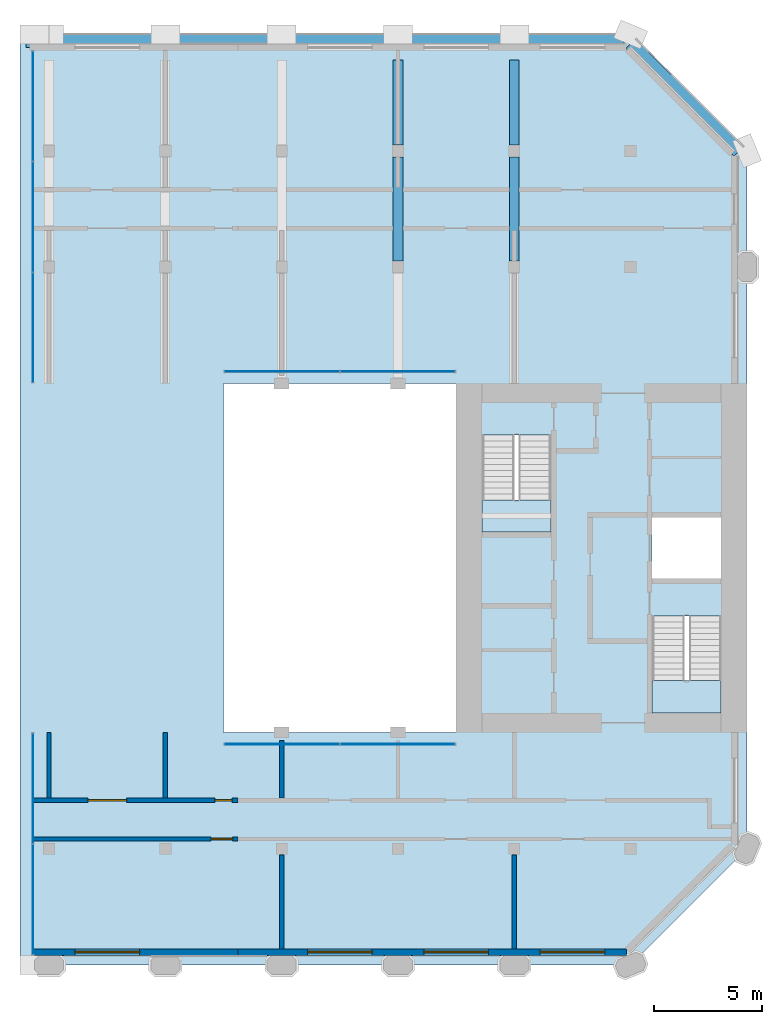
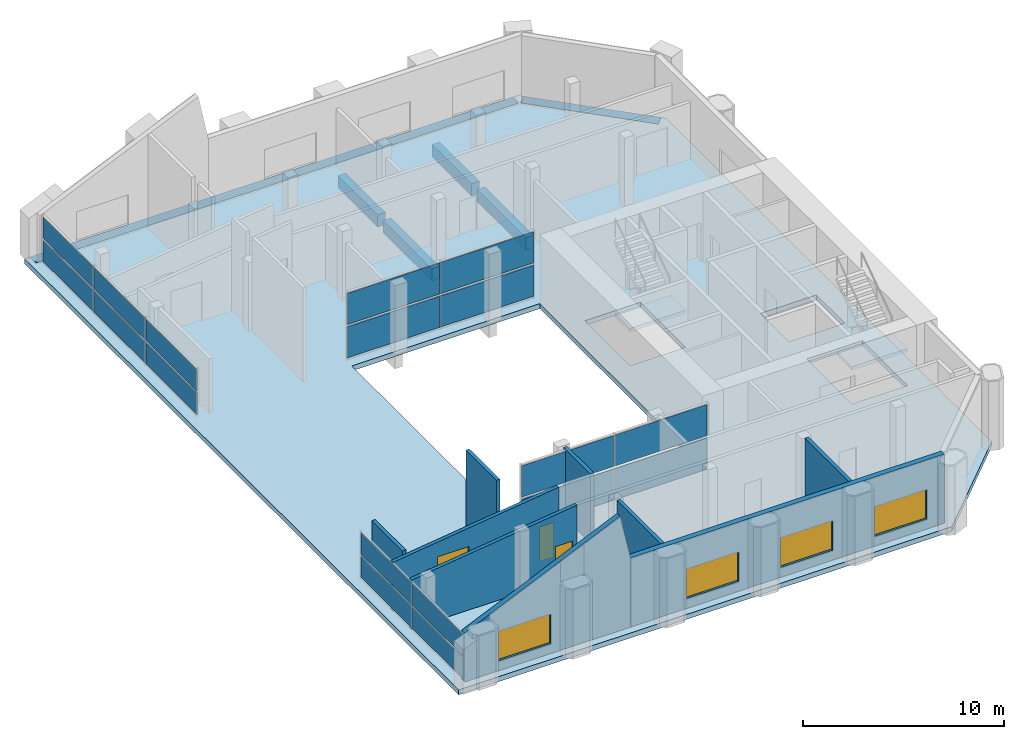
# One storey, part 4 of 9: 18 plates, 9 walls, 6 beams, 4 windows, 3 doors, 3 slabs, 7 openings, 6 elements without a shape of their own.
"""IFC4 building model written with IfcOpenShell, lengths in metres."""

import ifcopenshell
import ifcopenshell.guid

model = None  # the IFC model being written
_history = None  # IfcOwnerHistory: only IFC2X3 demands one
_inside = {}  # id of a spatial element -> (the spatial element, [elements in it])
_under = {}  # id of a project, library or spatial element -> (it, [spatial elements below it])
_declared = {}  # id of a project -> (the project, [libraries it declares])
_typed = {}  # id of a type object -> (the type object, [elements of that type])
_made_of = {}  # id of a material, layer set ... -> (it, [elements and type objects made of it])


def new_model(schema):
    """Start an empty IFC model of exactly this schema.

    Asked for "IFC4X3", IfcOpenShell would pick the latest addendum, in which some entities
    have other attributes; the version numbers below select the first issue.
    IFC2X3 requires an IfcOwnerHistory on every rooted entity: one is made here for all.
    """
    global model, _history
    if schema == "IFC4X3":
        model = ifcopenshell.file(schema_version=(4, 3, 0, 0))
    else:
        model = ifcopenshell.file(schema=schema)
    _inside.clear()
    _under.clear()
    _declared.clear()
    _typed.clear()
    _made_of.clear()
    _history = None
    if model.schema == "IFC2X3":
        org = make("IfcOrganization", Name="unknown")
        user = make(
            "IfcPersonAndOrganization",
            ThePerson=make("IfcPerson", FamilyName="unknown"),
            TheOrganization=org,
        )
        app = make(
            "IfcApplication",
            ApplicationDeveloper=org,
            Version="unknown",
            ApplicationFullName="unknown",
            ApplicationIdentifier="unknown",
        )
        _history = make(
            "IfcOwnerHistory",
            OwningUser=user,
            OwningApplication=app,
            ChangeAction="ADDED",
            CreationDate=0,
        )
    return model


def make(cls, **values):
    """One entity of the class cls with the attributes given. An attribute that is None is left unset."""
    return model.create_entity(
        cls, **{name: value for name, value in values.items() if value is not None}
    )


def rooted(cls, **values):
    """An entity with a GlobalId (a new one), such as an element, a storey or a relation."""
    return make(cls, GlobalId=ifcopenshell.guid.new(), OwnerHistory=_history, **values)


def si_unit(unit_type, name, prefix=None):
    """IfcSIUnit, for example si_unit("LENGTHUNIT", "METRE", prefix="MILLI")."""
    return make("IfcSIUnit", UnitType=unit_type, Prefix=prefix, Name=name)


def assignment(units):
    """IfcUnitAssignment: the units of a project."""
    return None if units is None else make("IfcUnitAssignment", Units=units)


def point(xyz):
    """IfcCartesianPoint."""
    return None if xyz is None else make("IfcCartesianPoint", Coordinates=xyz)


def direction(xyz):
    """IfcDirection."""
    return None if xyz is None else make("IfcDirection", DirectionRatios=xyz)


def frame(location, z_axis=None, x_axis=None):
    """IfcAxis2Placement3D, a coordinate frame: its origin and axes. An axis left out is left unset."""
    return make(
        "IfcAxis2Placement3D",
        Location=point(location),
        Axis=direction(z_axis),
        RefDirection=direction(x_axis),
    )


def frame_2d(location, x_axis=None):
    """IfcAxis2Placement2D, a coordinate frame in the plane: its origin and x axis."""
    return make(
        "IfcAxis2Placement2D", Location=point(location), RefDirection=direction(x_axis)
    )


def origin():
    """The frame at (0, 0, 0) with its axes left unset."""
    return frame((0.0, 0.0, 0.0))


def origin_2d():
    """The frame at (0, 0) in the plane with its x axis left unset."""
    return frame_2d((0.0, 0.0))


def place(relative_to, where):
    """IfcLocalPlacement: puts the frame where relative to a parent placement (None: the world)."""
    return make(
        "IfcLocalPlacement", PlacementRelTo=relative_to, RelativePlacement=where
    )


def context(
    kind, dimensions, precision=None, world=None, true_north=None, identifier=None
):
    """IfcGeometricRepresentationContext, for example the 3D "Model" context."""
    return make(
        "IfcGeometricRepresentationContext",
        ContextIdentifier=identifier,
        ContextType=kind,
        CoordinateSpaceDimension=dimensions,
        Precision=precision,
        WorldCoordinateSystem=world,
        TrueNorth=true_north,
    )


def subcontext(parent, identifier, kind, view, scale=None):
    """IfcGeometricRepresentationSubContext, for example "Body" below "Model"."""
    return make(
        "IfcGeometricRepresentationSubContext",
        ContextIdentifier=identifier,
        ContextType=kind,
        ParentContext=parent,
        TargetScale=scale,
        TargetView=view,
    )


def project(units=None, contexts=None):
    """IfcProject with its units and contexts."""
    return rooted(
        "IfcProject",
        Name="project",
        RepresentationContexts=contexts,
        UnitsInContext=assignment(units),
    )


def spatial(cls, under=None, at=None, **own):
    """A site, building, storey or space (cls), placed at a placement, below another one or the project."""
    s = rooted(cls, ObjectPlacement=at, **own)
    if under is not None:
        _under.setdefault(under.id(), (under, []))[1].append(s)
    return s


def polyline(points):
    """IfcPolyline through the points."""
    return make("IfcPolyline", Points=[point(p) for p in points])


def profile(cls, at=None, kind="AREA", **sizes):
    """A parametric profile (cls). Its sizes go by their IFC names, for example OverallWidth=200.0."""
    return make(cls, ProfileType=kind, Position=at, **sizes)


def rectangle(**sizes):
    """IfcRectangleProfileDef."""
    return profile("IfcRectangleProfileDef", **sizes)


def outline(outer, holes=None, kind="AREA"):
    """IfcArbitraryClosedProfileDef: a profile drawn as a closed curve; with holes, ...WithVoids."""
    if holes is None:
        return make("IfcArbitraryClosedProfileDef", ProfileType=kind, OuterCurve=outer)
    return make(
        "IfcArbitraryProfileDefWithVoids",
        ProfileType=kind,
        OuterCurve=outer,
        InnerCurves=holes,
    )


def extrude(swept, where, along, depth):
    """IfcExtrudedAreaSolid: the profile swept, set in the frame where, extruded along a direction by depth."""
    return make(
        "IfcExtrudedAreaSolid",
        SweptArea=swept,
        Position=where,
        ExtrudedDirection=direction(along),
        Depth=depth,
    )


def shape(context_of_items, identifier, shape_type, items):
    """IfcShapeRepresentation: the items that make up one representation, for example the "Body"."""
    return make(
        "IfcShapeRepresentation",
        ContextOfItems=context_of_items,
        RepresentationIdentifier=identifier,
        RepresentationType=shape_type,
        Items=items,
    )


def material(Name=None, Category=None):
    """IfcMaterial."""
    return make("IfcMaterial", Name=Name, Category=Category)


def layer(
    of_material, thickness, ventilated=None, Name=None, Category=None, Priority=None
):
    """IfcMaterialLayer: one layer of a wall or slab, of a material (None: an air gap)."""
    return make(
        "IfcMaterialLayer",
        Material=of_material,
        LayerThickness=thickness,
        IsVentilated=ventilated,
        Name=Name,
        Category=Category,
        Priority=Priority,
    )


def layer_set(layers, Name=None):
    """IfcMaterialLayerSet."""
    return make("IfcMaterialLayerSet", MaterialLayers=layers, LayerSetName=Name)


def material_profile(
    of_material, cross_section, Name=None, Category=None, Priority=None
):
    """IfcMaterialProfile: a cross section and its material."""
    return make(
        "IfcMaterialProfile",
        Name=Name,
        Material=of_material,
        Profile=cross_section,
        Priority=Priority,
        Category=Category,
    )


def profile_set(profiles, Name=None, composite=None):
    """IfcMaterialProfileSet."""
    return make(
        "IfcMaterialProfileSet",
        Name=Name,
        MaterialProfiles=profiles,
        CompositeProfile=composite,
    )


def made_of(thing, what):
    """Note that an element or type object is made of a material, layer set ...; save() writes the relation."""
    if what is not None:
        _made_of.setdefault(what.id(), (what, []))[1].append(thing)
    return thing


def type_object(cls, material=None, **own):
    """A type object (cls), such as IfcWallType, which elements share."""
    return made_of(rooted(cls, **own), material)


def element(
    cls,
    number,
    at=None,
    inside=None,
    cuts=None,
    type_object=None,
    material=None,
    context=None,
    identifier="Body",
    shape_type=None,
    held_by="IfcProductDefinitionShape",
    body=None,
    shapes=None,
    **own,
):
    """One element of the class cls, such as IfcWall. Its Tag is "e" and its number.

    at: its placement. inside: the storey or other place that contains it. cuts: it is an
    opening in that element (IfcRelVoidsElement). A single representation is given by context,
    identifier, shape_type and body (its items); several are given by shapes. held_by: the class
    of the entity that holds the representations. save() writes the other relations.
    """
    e = rooted(cls, Tag="e%d" % number, ObjectPlacement=at, **own)
    if body is not None:
        shapes = [shape(context, identifier, shape_type, body)]
    if shapes is not None:
        e.Representation = make(held_by, Representations=shapes)
    if inside is not None:
        _inside.setdefault(inside.id(), (inside, []))[1].append(e)
    if cuts is not None:
        rooted(
            "IfcRelVoidsElement", RelatingBuildingElement=cuts, RelatedOpeningElement=e
        )
    if type_object is not None:
        _typed.setdefault(type_object.id(), (type_object, []))[1].append(e)
    return made_of(e, material)


def fill(opening, filler):
    """IfcRelFillsElement: the door or window that sits in an opening."""
    return rooted(
        "IfcRelFillsElement",
        RelatingOpeningElement=opening,
        RelatedBuildingElement=filler,
    )


def aggregate(whole, parts):
    """IfcRelAggregates: a whole, such as a stair, and the parts it consists of."""
    return rooted("IfcRelAggregates", RelatingObject=whole, RelatedObjects=parts)


def save(model, path):
    """Write the relations noted so far, then the file.

    IfcRelAggregates (storeys below a building ...), IfcRelContainedInSpatialStructure (elements
    in a storey), IfcRelDefinesByType, IfcRelAssociatesMaterial and IfcRelDeclares: one each for
    every whole, place, type object, material and project.
    """
    for whole, parts in _under.values():
        aggregate(whole, parts)
    for where, things in _inside.values():
        rooted(
            "IfcRelContainedInSpatialStructure",
            RelatedElements=things,
            RelatingStructure=where,
        )
    for kind, things in _typed.values():
        rooted("IfcRelDefinesByType", RelatedObjects=things, RelatingType=kind)
    for what, things in _made_of.values():
        rooted("IfcRelAssociatesMaterial", RelatedObjects=things, RelatingMaterial=what)
    for by, libraries in _declared.values():
        rooted("IfcRelDeclares", RelatingContext=by, RelatedDefinitions=libraries)
    model.write(path)


model = new_model("IFC4")

# Units and contexts
model_context = context("Model", 3, precision=1e-05, world=origin(), true_north=direction((0.0, 1.0)))
body_context = subcontext(model_context, "Body", "Model", "MODEL_VIEW")
ifc_project = project(units=[si_unit("LENGTHUNIT", "METRE"), si_unit("AREAUNIT", "SQUARE_METRE"), si_unit("VOLUMEUNIT", "CUBIC_METRE"), si_unit("PLANEANGLEUNIT", "RADIAN"), si_unit("MASSUNIT", "GRAM", prefix="KILO")], contexts=[model_context])

# Site, building, storey
site_placement = place(None, origin())
site = spatial("IfcSite", under=ifc_project, at=site_placement, CompositionType="ELEMENT")
building_placement = place(site_placement, origin())
building = spatial("IfcBuilding", under=site, at=building_placement, Name="Tabaq Tower and Sports Hall", CompositionType="ELEMENT")
storey_placement = place(building_placement, frame((0.0, 0.0, 326.199951171875)))
storey = spatial("IfcBuildingStorey", under=building, at=storey_placement, Name="L81", CompositionType="ELEMENT", Elevation=326.199951171875)

# Beams
ifc_material_1 = material(Name="Concrete C40/50", Category="concrete")
ifc_material_profile_1 = material_profile(ifc_material_1, rectangle(XDim=0.449951171875, YDim=0.75, at=origin_2d()), Name="CB 450x750")
ifc_profile_set_1 = profile_set([ifc_material_profile_1], Name="Concrete C40/50")
beam_type_1 = type_object("IfcBeamType", Name="PT CANTILEVER BEAM CB 450x750 C40/50", PredefinedType="BEAM", material=ifc_profile_set_1)
beam_1_placement = place(storey_placement, frame((27.0, 47.425048828125, -0.675048828125), z_axis=(0.0, -1.0, 0.0), x_axis=(1.0, 0.0, 0.0)))
element("IfcBeam", 1, at=beam_1_placement, inside=storey, type_object=beam_type_1, Name="Cantilever Beam L81 N5 span 1", PredefinedType="BEAM", context=body_context, shape_type="SweptSolid", body=[
    extrude(rectangle(XDim=0.449951171875, YDim=0.75, at=origin_2d()), origin(), (0.0, 0.0, 1.0), 3.949951171875),
])
beam_2_placement = place(storey_placement, frame((27.0, 42.925048828125, -0.675048828125), z_axis=(0.0, -1.0, 0.0), x_axis=(1.0, 0.0, 0.0)))
element("IfcBeam", 2, at=beam_2_placement, inside=storey, type_object=beam_type_1, Name="Cantilever Beam L81 N5 span 2", PredefinedType="BEAM", context=body_context, shape_type="SweptSolid", body=[
    extrude(rectangle(XDim=0.449951171875, YDim=0.75, at=origin_2d()), origin(), (0.0, 0.0, 1.0), 4.85009765625),
])
beam_3_placement = place(storey_placement, frame((32.39990234375, 47.425048828125, -0.675048828125), z_axis=(0.0, -1.0, 0.0), x_axis=(1.0, 0.0, 0.0)))
element("IfcBeam", 3, at=beam_3_placement, inside=storey, type_object=beam_type_1, Name="Cantilever Beam L81 N6 span 1", PredefinedType="BEAM", context=body_context, shape_type="SweptSolid", body=[
    extrude(rectangle(XDim=0.449951171875, YDim=0.75, at=origin_2d()), origin(), (0.0, 0.0, 1.0), 3.949951171875),
])
beam_4_placement = place(storey_placement, frame((32.39990234375, 42.925048828125, -0.675048828125), z_axis=(0.0, -1.0, 0.0), x_axis=(1.0, 0.0, 0.0)))
element("IfcBeam", 4, at=beam_4_placement, inside=storey, type_object=beam_type_1, Name="Cantilever Beam L81 N6 span 2", PredefinedType="BEAM", context=body_context, shape_type="SweptSolid", body=[
    extrude(rectangle(XDim=0.449951171875, YDim=0.75, at=origin_2d()), origin(), (0.0, 0.0, 1.0), 4.85009765625),
])
ifc_material_2 = material(Name="Concrete C40/50", Category="concrete")
ifc_material_profile_2 = material_profile(ifc_material_2, rectangle(XDim=0.60009765625, YDim=0.300048828125, at=origin_2d()), Name="EB 600x300")
ifc_profile_set_2 = profile_set([ifc_material_profile_2], Name="Concrete C40/50")
beam_type_2 = type_object("IfcBeamType", Name="PT EDGE BEAM EB 600x300 C40/50", PredefinedType="SPANDREL", material=ifc_profile_set_2)
beam_5_placement = place(storey_placement, frame((37.50146484375, 48.300048828125, -0.14990234375), z_axis=(-1.0, 0.0, 0.0), x_axis=(0.0, -1.0, 0.0)))
element("IfcBeam", 5, at=beam_5_placement, inside=storey, type_object=beam_type_2, Name="Edge Beam L81 1", PredefinedType="SPANDREL", context=body_context, shape_type="SweptSolid", body=[
    extrude(rectangle(XDim=0.60009765625, YDim=0.300048828125, at=origin_2d()), origin(), (0.0, 0.0, 1.0), 27.761474609375),
])
beam_6_placement = place(storey_placement, frame((42.81103515625, 43.16455078125, -0.14990234375), z_axis=(-0.707089559252, 0.707124002701, 0.0), x_axis=(-0.707124002701, -0.707089559252, 0.0)))
element("IfcBeam", 6, at=beam_6_placement, inside=storey, type_object=beam_type_2, Name="Edge Beam L81 2", PredefinedType="SPANDREL", context=body_context, shape_type="SweptSolid", body=[
    extrude(rectangle(XDim=0.60009765625, YDim=0.300048828125, at=origin_2d()), origin(), (0.0, 0.0, 1.0), 7.088134765625),
])

# Curtain wall, plates
ifc_material_3 = material(Name="Aluminium alloy 6063-T6 framed glazing", Category="aluminium")
curtain_wall_type_1 = type_object("IfcCurtainWallType", Name="CW1 curtain wall", PredefinedType="USERDEFINED", material=ifc_material_3)
curtain_wall_1_placement = place(storey_placement, origin())
curtain_wall_1 = element("IfcCurtainWall", 7, at=curtain_wall_1_placement, inside=storey, type_object=curtain_wall_type_1, Name="Atrium glazing L81 S", ObjectType="ATRIUM ENCLOSURE", PredefinedType="USERDEFINED")
ifc_material_4 = material(Name="Clear low-emissivity glass 28 mm", Category="glass")
ifc_layer_1 = layer(ifc_material_4, 0.028076171875)
ifc_layer_set_1 = layer_set([ifc_layer_1], Name="CW1 glass panel 28")
plate_type_1 = type_object("IfcPlateType", Name="CW1 glass panel 28", PredefinedType="CURTAIN_PANEL", material=ifc_layer_set_1)
plate_1_placement = place(storey_placement, frame((21.614990234375, 15.64990234375, 0.14013671875), z_axis=(0.0, 0.0, 1.0), x_axis=(1.0, 0.0, 0.0)))
plate_1 = element("IfcPlate", 8, at=plate_1_placement, type_object=plate_type_1, Name="CW1 panel 1.1", PredefinedType="CURTAIN_PANEL", context=body_context, shape_type="SweptSolid", body=[
    extrude(rectangle(XDim=5.31005859375, YDim=0.028076171875, at=origin_2d()), origin(), (0.0, 0.0, 1.0), 1.889892578125),
])
plate_2_placement = place(storey_placement, frame((21.614990234375, 15.64990234375, 2.169921875), z_axis=(0.0, 0.0, 1.0), x_axis=(1.0, 0.0, 0.0)))
plate_2 = element("IfcPlate", 9, at=plate_2_placement, type_object=plate_type_1, Name="CW1 panel 1.2", PredefinedType="CURTAIN_PANEL", context=body_context, shape_type="SweptSolid", body=[
    extrude(rectangle(XDim=5.31005859375, YDim=0.028076171875, at=origin_2d()), origin(), (0.0, 0.0, 1.0), 1.889892578125),
])
plate_3_placement = place(storey_placement, frame((26.985107421875, 15.64990234375, 0.14013671875), z_axis=(0.0, 0.0, 1.0), x_axis=(1.0, 0.0, 0.0)))
plate_3 = element("IfcPlate", 10, at=plate_3_placement, type_object=plate_type_1, Name="CW1 panel 2.1", PredefinedType="CURTAIN_PANEL", context=body_context, shape_type="SweptSolid", body=[
    extrude(rectangle(XDim=5.31005859375, YDim=0.028076171875, at=origin_2d()), origin(), (0.0, 0.0, 1.0), 1.889892578125),
])
plate_4_placement = place(storey_placement, frame((26.985107421875, 15.64990234375, 2.169921875), z_axis=(0.0, 0.0, 1.0), x_axis=(1.0, 0.0, 0.0)))
plate_4 = element("IfcPlate", 11, at=plate_4_placement, type_object=plate_type_1, Name="CW1 panel 2.2", PredefinedType="CURTAIN_PANEL", context=body_context, shape_type="SweptSolid", body=[
    extrude(rectangle(XDim=5.31005859375, YDim=0.028076171875, at=origin_2d()), origin(), (0.0, 0.0, 1.0), 1.889892578125),
])
aggregate(curtain_wall_1, [plate_1, plate_2, plate_3, plate_4])

curtain_wall_2_placement = place(storey_placement, origin())
curtain_wall_2 = element("IfcCurtainWall", 12, at=curtain_wall_2_placement, inside=storey, type_object=curtain_wall_type_1, Name="Atrium glazing L81 N", ObjectType="ATRIUM ENCLOSURE", PredefinedType="USERDEFINED")
plate_5_placement = place(storey_placement, frame((21.614990234375, 32.949951171875, 0.14013671875), z_axis=(0.0, 0.0, 1.0), x_axis=(1.0, 0.0, 0.0)))
plate_5 = element("IfcPlate", 13, at=plate_5_placement, type_object=plate_type_1, Name="CW1 panel 1.1", PredefinedType="CURTAIN_PANEL", context=body_context, shape_type="SweptSolid", body=[
    extrude(rectangle(XDim=5.31005859375, YDim=0.028076171875, at=origin_2d()), origin(), (0.0, 0.0, 1.0), 1.889892578125),
])
plate_6_placement = place(storey_placement, frame((21.614990234375, 32.949951171875, 2.169921875), z_axis=(0.0, 0.0, 1.0), x_axis=(1.0, 0.0, 0.0)))
plate_6 = element("IfcPlate", 14, at=plate_6_placement, type_object=plate_type_1, Name="CW1 panel 1.2", PredefinedType="CURTAIN_PANEL", context=body_context, shape_type="SweptSolid", body=[
    extrude(rectangle(XDim=5.31005859375, YDim=0.028076171875, at=origin_2d()), origin(), (0.0, 0.0, 1.0), 1.889892578125),
])
plate_7_placement = place(storey_placement, frame((26.985107421875, 32.949951171875, 0.14013671875), z_axis=(0.0, 0.0, 1.0), x_axis=(1.0, 0.0, 0.0)))
plate_7 = element("IfcPlate", 15, at=plate_7_placement, type_object=plate_type_1, Name="CW1 panel 2.1", PredefinedType="CURTAIN_PANEL", context=body_context, shape_type="SweptSolid", body=[
    extrude(rectangle(XDim=5.31005859375, YDim=0.028076171875, at=origin_2d()), origin(), (0.0, 0.0, 1.0), 1.889892578125),
])
plate_8_placement = place(storey_placement, frame((26.985107421875, 32.949951171875, 2.169921875), z_axis=(0.0, 0.0, 1.0), x_axis=(1.0, 0.0, 0.0)))
plate_8 = element("IfcPlate", 16, at=plate_8_placement, type_object=plate_type_1, Name="CW1 panel 2.2", PredefinedType="CURTAIN_PANEL", context=body_context, shape_type="SweptSolid", body=[
    extrude(rectangle(XDim=5.31005859375, YDim=0.028076171875, at=origin_2d()), origin(), (0.0, 0.0, 1.0), 1.889892578125),
])
aggregate(curtain_wall_2, [plate_5, plate_6, plate_7, plate_8])

ifc_material_5 = material(Name="Aluminium alloy 6063-T6 framed glazing", Category="aluminium")
curtain_wall_type_2 = type_object("IfcCurtainWallType", Name="CW5 curtain wall", PredefinedType="USERDEFINED", material=ifc_material_5)
curtain_wall_3_placement = place(storey_placement, origin())
curtain_wall_3 = element("IfcCurtainWall", 17, at=curtain_wall_3_placement, inside=storey, type_object=curtain_wall_type_2, Name="Crown riser glazing L81", ObjectType="CROWN GLAZING", PredefinedType="USERDEFINED")
ifc_material_6 = material(Name="Clear low-emissivity glass 28 mm", Category="glass")
ifc_layer_2 = layer(ifc_material_6, 0.028076171875)
ifc_layer_set_2 = layer_set([ifc_layer_2], Name="CW5 glass panel 28")
plate_type_2 = type_object("IfcPlateType", Name="CW5 glass panel 28", PredefinedType="CURTAIN_PANEL", material=ifc_layer_set_2)
plate_9_placement = place(storey_placement, frame((10.050048828125, 45.260009765625, 0.1201171875), z_axis=(0.0, 0.0, 1.0), x_axis=(0.0, -1.0, 0.0)))
plate_9 = element("IfcPlate", 18, at=plate_9_placement, type_object=plate_type_2, Name="CW5 panel 1.1", PredefinedType="CURTAIN_PANEL", context=body_context, shape_type="SweptSolid", body=[
    extrude(rectangle(XDim=5.06005859375, YDim=0.028076171875, at=origin_2d()), origin(), (0.0, 0.0, 1.0), 1.30322265625),
])
plate_10_placement = place(storey_placement, frame((10.050048828125, 45.260009765625, 1.54345703125), z_axis=(0.0, 0.0, 1.0), x_axis=(0.0, -1.0, 0.0)))
plate_10 = element("IfcPlate", 19, at=plate_10_placement, type_object=plate_type_2, Name="CW5 panel 1.2", PredefinedType="CURTAIN_PANEL", context=body_context, shape_type="SweptSolid", body=[
    extrude(rectangle(XDim=5.06005859375, YDim=0.028076171875, at=origin_2d()), origin(), (0.0, 0.0, 1.0), 1.30322265625),
])
plate_11_placement = place(storey_placement, frame((10.050048828125, 40.125, 0.1201171875), z_axis=(0.0, 0.0, 1.0), x_axis=(0.0, -1.0, 0.0)))
plate_11 = element("IfcPlate", 20, at=plate_11_placement, type_object=plate_type_2, Name="CW5 panel 2.1", PredefinedType="CURTAIN_PANEL", context=body_context, shape_type="SweptSolid", body=[
    extrude(rectangle(XDim=5.090087890625, YDim=0.028076171875, at=origin_2d()), origin(), (0.0, 0.0, 1.0), 1.30322265625),
])
plate_12_placement = place(storey_placement, frame((10.050048828125, 40.125, 1.54345703125), z_axis=(0.0, 0.0, 1.0), x_axis=(0.0, -1.0, 0.0)))
plate_12 = element("IfcPlate", 21, at=plate_12_placement, type_object=plate_type_2, Name="CW5 panel 2.2", PredefinedType="CURTAIN_PANEL", context=body_context, shape_type="SweptSolid", body=[
    extrude(rectangle(XDim=5.090087890625, YDim=0.028076171875, at=origin_2d()), origin(), (0.0, 0.0, 1.0), 1.30322265625),
])
plate_13_placement = place(storey_placement, frame((10.050048828125, 34.989990234375, 0.1201171875), z_axis=(0.0, 0.0, 1.0), x_axis=(0.0, -1.0, 0.0)))
plate_13 = element("IfcPlate", 22, at=plate_13_placement, type_object=plate_type_2, Name="CW5 panel 3.1", PredefinedType="CURTAIN_PANEL", context=body_context, shape_type="SweptSolid", body=[
    extrude(rectangle(XDim=5.06005859375, YDim=0.028076171875, at=origin_2d()), origin(), (0.0, 0.0, 1.0), 1.30322265625),
])
plate_14_placement = place(storey_placement, frame((10.050048828125, 34.989990234375, 1.54345703125), z_axis=(0.0, 0.0, 1.0), x_axis=(0.0, -1.0, 0.0)))
plate_14 = element("IfcPlate", 23, at=plate_14_placement, type_object=plate_type_2, Name="CW5 panel 3.2", PredefinedType="CURTAIN_PANEL", context=body_context, shape_type="SweptSolid", body=[
    extrude(rectangle(XDim=5.06005859375, YDim=0.028076171875, at=origin_2d()), origin(), (0.0, 0.0, 1.0), 1.30322265625),
])
aggregate(curtain_wall_3, [plate_9, plate_10, plate_11, plate_12, plate_13, plate_14])

curtain_wall_4_placement = place(storey_placement, origin())
curtain_wall_4 = element("IfcCurtainWall", 24, at=curtain_wall_4_placement, inside=storey, type_object=curtain_wall_type_2, Name="Crown riser glazing L81", ObjectType="CROWN GLAZING", PredefinedType="USERDEFINED")
plate_15_placement = place(storey_placement, frame((10.050048828125, 13.597412109375, 0.1201171875), z_axis=(0.0, 0.0, 1.0), x_axis=(0.0, -1.0, 0.0)))
plate_15 = element("IfcPlate", 25, at=plate_15_placement, type_object=plate_type_2, Name="CW5 panel 1.1", PredefinedType="CURTAIN_PANEL", context=body_context, shape_type="SweptSolid", body=[
    extrude(rectangle(XDim=5.0849609375, YDim=0.028076171875, at=origin_2d()), origin(), (0.0, 0.0, 1.0), 1.30322265625),
])
plate_16_placement = place(storey_placement, frame((10.050048828125, 13.597412109375, 1.54345703125), z_axis=(0.0, 0.0, 1.0), x_axis=(0.0, -1.0, 0.0)))
plate_16 = element("IfcPlate", 26, at=plate_16_placement, type_object=plate_type_2, Name="CW5 panel 1.2", PredefinedType="CURTAIN_PANEL", context=body_context, shape_type="SweptSolid", body=[
    extrude(rectangle(XDim=5.0849609375, YDim=0.028076171875, at=origin_2d()), origin(), (0.0, 0.0, 1.0), 1.30322265625),
])
plate_17_placement = place(storey_placement, frame((10.050048828125, 8.452392578125, 0.1201171875), z_axis=(0.0, 0.0, 1.0), x_axis=(0.0, -1.0, 0.0)))
plate_17 = element("IfcPlate", 27, at=plate_17_placement, type_object=plate_type_2, Name="CW5 panel 2.1", PredefinedType="CURTAIN_PANEL", context=body_context, shape_type="SweptSolid", body=[
    extrude(rectangle(XDim=5.0849609375, YDim=0.028076171875, at=origin_2d()), origin(), (0.0, 0.0, 1.0), 1.30322265625),
])
plate_18_placement = place(storey_placement, frame((10.050048828125, 8.452392578125, 1.54345703125), z_axis=(0.0, 0.0, 1.0), x_axis=(0.0, -1.0, 0.0)))
plate_18 = element("IfcPlate", 28, at=plate_18_placement, type_object=plate_type_2, Name="CW5 panel 2.2", PredefinedType="CURTAIN_PANEL", context=body_context, shape_type="SweptSolid", body=[
    extrude(rectangle(XDim=5.0849609375, YDim=0.028076171875, at=origin_2d()), origin(), (0.0, 0.0, 1.0), 1.30322265625),
])
aggregate(curtain_wall_4, [plate_15, plate_16, plate_17, plate_18])

# Stair, slab
ifc_material_7 = material(Name="Concrete C40/50", Category="concrete")
stair_type = type_object("IfcStairType", Name="Exit stair", PredefinedType="HALF_TURN_STAIR", material=ifc_material_7)
stair_1_placement = place(storey_placement, origin())
stair_1 = element("IfcStair", 29, at=stair_1_placement, inside=storey, type_object=stair_type, Name="L81 Exit stair ST3", PredefinedType="HALF_TURN_STAIR")
ifc_material_8 = material(Name="Concrete C40/50", Category="concrete")
ifc_layer_3 = layer(ifc_material_8, 0.199951171875)
ifc_layer_set_3 = layer_set([ifc_layer_3], Name="Exit stair landing")
slab_type_1 = type_object("IfcSlabType", Name="Exit stair landing", PredefinedType="LANDING", material=ifc_layer_set_3)
slab_1_placement = place(storey_placement, frame((0.0, 0.0, 2.050048828125)))
slab_1 = element("IfcSlab", 30, at=slab_1_placement, type_object=slab_type_1, Name="ST3 landing 1", PredefinedType="LANDING", context=body_context, shape_type="SweptSolid", body=[
    extrude(outline(polyline([(38.800048828125, 18.60009765625), (38.800048828125, 17.10009765625), (42.0, 17.10009765625), (42.0, 18.60009765625), (38.800048828125, 18.60009765625)])), origin(), (0.0, 0.0, 1.0), 0.199951171875),
])
aggregate(stair_1, [slab_1])

stair_2_placement = place(storey_placement, origin())
stair_2 = element("IfcStair", 31, at=stair_2_placement, inside=storey, type_object=stair_type, Name="L81 Exit stair ST4", PredefinedType="HALF_TURN_STAIR")
slab_2_placement = place(storey_placement, frame((0.0, 0.0, 2.050048828125)))
slab_2 = element("IfcSlab", 32, at=slab_2_placement, type_object=slab_type_1, Name="ST4 landing 1", PredefinedType="LANDING", context=body_context, shape_type="SweptSolid", body=[
    extrude(outline(polyline([(30.89990234375, 27.0), (30.89990234375, 25.5), (34.10009765625, 25.5), (34.10009765625, 27.0), (30.89990234375, 27.0)])), origin(), (0.0, 0.0, 1.0), 0.199951171875),
])
aggregate(stair_2, [slab_2])

# Slab
ifc_material_9 = material(Name="Concrete C40/50", Category="concrete")
ifc_layer_4 = layer(ifc_material_9, 0.300048828125)
ifc_layer_set_4 = layer_set([ifc_layer_4], Name="PT FLOOR SLAB 300 C40/50")
slab_type_2 = type_object("IfcSlabType", Name="PT FLOOR SLAB 300 C40/50", PredefinedType="FLOOR", material=ifc_layer_set_4)
slab_3_placement = place(storey_placement, frame((0.0, 0.0, -0.300048828125)))
element("IfcSlab", 33, at=slab_3_placement, inside=storey, type_object=slab_type_2, Name="Floor Slab L81", PredefinedType="FLOOR", context=body_context, shape_type="SweptSolid", body=[
    extrude(outline(polyline([(43.199951171875, 10.800048828125), (43.199951171875, 43.199951171875), (43.023193359375, 43.376708984375), (42.669677734375, 43.023193359375), (42.598876953125, 42.952392578125), (37.5869140625, 47.964599609375), (37.657470703125, 48.035400390625), (38.010986328125, 48.388916015625), (37.800048828125, 48.60009765625), (37.50146484375, 48.60009765625), (37.50146484375, 48.10009765625), (37.50146484375, 48.0), (9.739990234375, 48.0), (9.739990234375, 48.10009765625), (9.739990234375, 48.60009765625), (9.449951171875, 48.60009765625), (9.449951171875, 5.39990234375), (37.800048828125, 5.39990234375), (43.199951171875, 10.800048828125)]), holes=[polyline([(38.800048828125, 17.10009765625), (38.800048828125, 21.599365234375), (42.0, 21.599365234375), (42.0, 17.10009765625), (38.800048828125, 17.10009765625)]), polyline([(29.699951171875, 16.199951171875), (18.89990234375, 16.199951171875), (18.89990234375, 32.39990234375), (29.699951171875, 32.39990234375), (29.699951171875, 16.199951171875)]), polyline([(38.800048828125, 23.35009765625), (38.800048828125, 26.175048828125), (42.0, 26.175048828125), (42.0, 23.35009765625), (38.800048828125, 23.35009765625)]), polyline([(30.89990234375, 25.5), (30.89990234375, 29.99951171875), (34.10009765625, 29.99951171875), (34.10009765625, 25.5), (30.89990234375, 25.5)])]), origin(), (0.0, 0.0, 1.0), 0.300048828125),
])

# Walls
ifc_material_10 = material(Name="Blockwork", Category="masonry")
ifc_layer_5 = layer(ifc_material_10, 0.199951171875)
ifc_layer_set_5 = layer_set([ifc_layer_5], Name="Fire compartment wall 200 Blockwork")
wall_type_1 = type_object("IfcWallType", Name="Fire compartment wall 200 Blockwork", PredefinedType="PARTITIONING", material=ifc_layer_set_5)
for number, where, z_axis, x_axis, name in (
    (34, (32.39990234375, 10.5048828125, 0.0), (0.0, 0.0, 1.0), (0.0, -1.0, 0.0), "Compartment wall L81"),
    (35, (21.60009765625, 10.5048828125, 0.0), (0.0, 0.0, 1.0), (0.0, -1.0, 0.0), "Compartment wall L81"),
):
    element("IfcWall", number, at=place(storey_placement, frame(where, z_axis=z_axis, x_axis=x_axis)), inside=storey, type_object=wall_type_1, Name=name, PredefinedType="PARTITIONING", context=body_context, shape_type="SweptSolid", body=[
        extrude(rectangle(XDim=4.35400390625, YDim=0.199951171875, at=frame_2d((2.177001953125, 0.0))), origin(), (0.0, 0.0, 1.0), 4.199951171875),
    ])

# Wall, opening, door
wall_1_placement = place(storey_placement, frame((19.574951171875, 11.25, 0.0), z_axis=(0.0, 0.0, 1.0), x_axis=(-1.0, 0.0, 0.0)))
wall_1 = element("IfcWall", 36, at=wall_1_placement, inside=storey, type_object=wall_type_1, Name="Compartment wall L81", PredefinedType="PARTITIONING", context=body_context, shape_type="SweptSolid", body=[
    extrude(outline(polyline([(0.0, 0.0), (9.52490234375, 0.0), (9.52490234375, 2.966796875), (0.0, 4.199951171875), (0.0, 0.0)])), frame((0.0, 0.10009765625, 0.0), z_axis=(0.0, -1.0, 0.0), x_axis=(1.0, 0.0, 0.0)), (0.0, 0.0, 1.0), 0.199951171875),
])
opening_1_placement = place(wall_1_placement, frame((0.25, 0.0, 0.0)))
opening_1 = element("IfcOpeningElement", 37, at=opening_1_placement, cuts=wall_1, Name="Opening L81-008", PredefinedType="OPENING", context=body_context, shape_type="SweptSolid", body=[
    extrude(rectangle(XDim=1.0, YDim=2.10009765625, at=frame_2d((0.5, 1.050048828125))), frame((0.0, 0.10009765625, 0.0), z_axis=(0.0, -1.0, 0.0), x_axis=(1.0, 0.0, 0.0)), (0.0, 0.0, 1.0), 0.199951171875),
])
ifc_material_11 = material(Name="Steel fire door", Category="steel")
door_type_1 = type_object("IfcDoorType", Name="Plant room door 1000 right hand", OperationType="SINGLE_SWING_RIGHT", PredefinedType="DOOR", material=ifc_material_11)
door_1_placement = place(opening_1_placement, origin())
door_1 = element("IfcDoor", 38, at=door_1_placement, inside=storey, type_object=door_type_1, Name="Plant room door L81-008", OperationType="SINGLE_SWING_RIGHT", OverallHeight=2.10009765625, OverallWidth=1.0, PredefinedType="DOOR", context=body_context, shape_type="SweptSolid", body=[
    extrude(rectangle(XDim=1.0, YDim=2.10009765625, at=frame_2d((0.5, 1.050048828125))), frame((0.0, 0.02490234375, 0.0), z_axis=(0.0, -1.0, 0.0), x_axis=(1.0, 0.0, 0.0)), (0.0, 0.0, 1.0), 0.050048828125),
])
fill(opening_1, door_1)

# Walls
wall_2_placement = place(storey_placement, frame((21.60009765625, 15.830078125, 0.0), z_axis=(0.0, 0.0, 1.0), x_axis=(0.0, -1.0, 0.0)))
element("IfcWall", 39, at=wall_2_placement, inside=storey, type_object=wall_type_1, Name="Compartment wall L81", PredefinedType="PARTITIONING", context=body_context, shape_type="SweptSolid", body=[
    extrude(rectangle(XDim=2.68017578125, YDim=0.199951171875, at=frame_2d((1.340087890625, 0.0))), origin(), (0.0, 0.0, 1.0), 4.199951171875),
])
wall_3_placement = place(storey_placement, frame((16.199951171875, 16.199951171875, 0.0), z_axis=(0.0, 0.0, 1.0), x_axis=(0.0, -1.0, 0.0)))
element("IfcWall", 40, at=wall_3_placement, inside=storey, type_object=wall_type_1, Name="Compartment wall L81", PredefinedType="PARTITIONING", context=body_context, shape_type="SweptSolid", body=[
    extrude(rectangle(XDim=3.050048828125, YDim=0.199951171875, at=frame_2d((1.52490234375, 0.0))), origin(), (0.0, 0.0, 1.0), 5.699951171875),
])
wall_4_placement = place(storey_placement, frame((10.800048828125, 16.199951171875, 0.0), z_axis=(0.0, 0.0, 1.0), x_axis=(0.0, -1.0, 0.0)))
element("IfcWall", 41, at=wall_4_placement, inside=storey, type_object=wall_type_1, Name="Compartment wall L81", PredefinedType="PARTITIONING", context=body_context, shape_type="SweptSolid", body=[
    extrude(rectangle(XDim=3.050048828125, YDim=0.199951171875, at=frame_2d((1.52490234375, 0.0))), origin(), (0.0, 0.0, 1.0), 3.300048828125),
])

# Wall, openings, doors
wall_5_placement = place(storey_placement, frame((10.050048828125, 13.050048828125, 0.0), z_axis=(0.0, 0.0, 1.0), x_axis=(1.0, 0.0, 0.0)))
wall_5 = element("IfcWall", 42, at=wall_5_placement, inside=storey, type_object=wall_type_1, Name="Compartment wall L81", PredefinedType="PARTITIONING", context=body_context, shape_type="SweptSolid", body=[
    extrude(outline(polyline([(0.0, 0.0), (9.52490234375, 0.0), (9.52490234375, 4.199951171875), (0.0, 2.966796875), (0.0, 0.0)])), frame((0.0, 0.10009765625, 0.0), z_axis=(0.0, -1.0, 0.0), x_axis=(1.0, 0.0, 0.0)), (0.0, 0.0, 1.0), 0.199951171875),
])
opening_2_placement = place(wall_5_placement, frame((8.449951171875, 0.0, 0.0)))
opening_2 = element("IfcOpeningElement", 43, at=opening_2_placement, cuts=wall_5, Name="Opening L81-011", PredefinedType="OPENING", context=body_context, shape_type="SweptSolid", body=[
    extrude(rectangle(XDim=0.800048828125, YDim=2.10009765625, at=frame_2d((0.39990234375, 1.050048828125))), frame((0.0, 0.10009765625, 0.0), z_axis=(0.0, -1.0, 0.0), x_axis=(1.0, 0.0, 0.0)), (0.0, 0.0, 1.0), 0.199951171875),
])
opening_3_placement = place(wall_5_placement, frame((2.550048828125, 0.0, 0.0)))
opening_3 = element("IfcOpeningElement", 44, at=opening_3_placement, cuts=wall_5, Name="Opening L81-015", PredefinedType="OPENING", context=body_context, shape_type="SweptSolid", body=[
    extrude(rectangle(XDim=1.800048828125, YDim=2.39990234375, at=frame_2d((0.89990234375, 1.199951171875))), frame((0.0, 0.10009765625, 0.0), z_axis=(0.0, -1.0, 0.0), x_axis=(1.0, 0.0, 0.0)), (0.0, 0.0, 1.0), 0.199951171875),
])
ifc_material_12 = material(Name="Steel fire door", Category="steel")
door_type_2 = type_object("IfcDoorType", Name="Plant room door 1800", OperationType="DOUBLE_DOOR_SINGLE_SWING", PredefinedType="DOOR", material=ifc_material_12)
door_2_placement = place(opening_3_placement, origin())
door_2 = element("IfcDoor", 45, at=door_2_placement, inside=storey, type_object=door_type_2, Name="Plant room door L81-015", OperationType="DOUBLE_DOOR_SINGLE_SWING", OverallHeight=2.39990234375, OverallWidth=1.800048828125, PredefinedType="DOOR", context=body_context, shape_type="SweptSolid", body=[
    extrude(rectangle(XDim=1.800048828125, YDim=2.39990234375, at=frame_2d((0.89990234375, 1.199951171875))), frame((0.0, 0.02490234375, 0.0), z_axis=(0.0, -1.0, 0.0), x_axis=(1.0, 0.0, 0.0)), (0.0, 0.0, 1.0), 0.050048828125),
])
fill(opening_3, door_2)
ifc_material_13 = material(Name="Steel fire door", Category="steel")
door_type_3 = type_object("IfcDoorType", Name="Plant room door 800 right hand", OperationType="SINGLE_SWING_RIGHT", PredefinedType="DOOR", material=ifc_material_13)
door_3_placement = place(opening_2_placement, origin())
door_3 = element("IfcDoor", 46, at=door_3_placement, inside=storey, type_object=door_type_3, Name="Plant room door L81-011", OperationType="SINGLE_SWING_RIGHT", OverallHeight=2.10009765625, OverallWidth=0.800048828125, PredefinedType="DOOR", context=body_context, shape_type="SweptSolid", body=[
    extrude(rectangle(XDim=0.800048828125, YDim=2.10009765625, at=frame_2d((0.39990234375, 1.050048828125))), frame((0.0, 0.02490234375, 0.0), z_axis=(0.0, -1.0, 0.0), x_axis=(1.0, 0.0, 0.0)), (0.0, 0.0, 1.0), 0.050048828125),
])
fill(opening_2, door_3)

# Wall, opening, window
ifc_material_14 = material(Name="White precast concrete C60/75", Category="concrete")
ifc_layer_6 = layer(ifc_material_14, 0.300048828125)
ifc_layer_set_6 = layer_set([ifc_layer_6], Name="White precast concrete C60/75 external wall 300")
wall_type_2 = type_object("IfcWallType", Name="White precast concrete C60/75 external wall 300", PredefinedType="SOLIDWALL", material=ifc_layer_set_6)
wall_6_placement = place(storey_placement, frame((10.050048828125, 6.0, 0.0), z_axis=(0.0, 0.0, 1.0), x_axis=(1.0, 0.0, 0.0)))
wall_6 = element("IfcWall", 47, at=wall_6_placement, inside=storey, type_object=wall_type_2, Name="External Wall L81 S", PredefinedType="SOLIDWALL", context=body_context, shape_type="SweptSolid", body=[
    extrude(outline(polyline([(0.0, 0.0), (9.52490234375, 0.0), (9.52490234375, 4.199951171875), (8.9296875, 6.935546875), (8.33447265625, 6.6708984375), (7.739013671875, 6.40625), (7.143798828125, 6.1416015625), (6.54833984375, 5.877197265625), (5.953125, 5.612548828125), (5.35791015625, 5.347900390625), (4.762451171875, 5.08349609375), (4.167236328125, 4.81884765625), (3.57177734375, 4.55419921875), (2.9765625, 4.28955078125), (2.38134765625, 4.025146484375), (1.785888671875, 3.760498046875), (1.190673828125, 3.495849609375), (0.59521484375, 3.231201171875), (0.0, 2.966796875), (0.0, 0.0)])), frame((0.0, 0.14990234375, 0.0), z_axis=(0.0, -1.0, 0.0), x_axis=(1.0, 0.0, 0.0)), (0.0, 0.0, 1.0), 0.300048828125),
])
opening_4_placement = place(wall_6_placement, frame((1.949951171875, 0.0, 0.60009765625)))
opening_4 = element("IfcOpeningElement", 48, at=opening_4_placement, cuts=wall_6, Name="Opening LV1", PredefinedType="OPENING", context=body_context, shape_type="SweptSolid", body=[
    extrude(rectangle(XDim=3.0, YDim=1.800048828125, at=frame_2d((1.5, 0.89990234375))), frame((0.0, 0.16015625, 0.0), z_axis=(0.0, -1.0, 0.0), x_axis=(1.0, 0.0, 0.0)), (0.0, 0.0, 1.0), 0.320068359375),
])
ifc_material_15 = material(Name="Aluminium alloy 6063-T6 louvre blades", Category="aluminium")
window_type = type_object("IfcWindowType", Name="Plant louvre LV1", PartitioningType="SINGLE_PANEL", PredefinedType="WINDOW", material=ifc_material_15)
window_1_placement = place(opening_4_placement, origin())
window_1 = element("IfcWindow", 49, at=window_1_placement, inside=storey, type_object=window_type, Name="Plant louvre L81", OverallHeight=1.800048828125, OverallWidth=3.0, PartitioningType="SINGLE_PANEL", PredefinedType="WINDOW", context=body_context, shape_type="SweptSolid", body=[
    extrude(rectangle(XDim=3.0, YDim=1.800048828125, at=frame_2d((1.5, 0.89990234375))), frame((0.0, 0.030029296875, 0.0), z_axis=(0.0, -1.0, 0.0), x_axis=(1.0, 0.0, 0.0)), (0.0, 0.0, 1.0), 0.06005859375),
])
fill(opening_4, window_1)

# Wall, openings, windows
wall_7_placement = place(storey_placement, frame((19.574951171875, 6.0, 0.0), z_axis=(0.0, 0.0, 1.0), x_axis=(1.0, 0.0, 0.0)))
wall_7 = element("IfcWall", 50, at=wall_7_placement, inside=storey, type_object=wall_type_2, Name="External Wall L81 S", PredefinedType="SOLIDWALL", context=body_context, shape_type="SweptSolid", body=[
    extrude(outline(polyline([(0.0, 0.0), (18.03857421875, 0.0), (18.03857421875, 4.199951171875), (17.456787109375, 4.199951171875), (16.874755859375, 4.199951171875), (16.29296875, 4.199951171875), (15.7109375, 4.199951171875), (15.129150390625, 4.199951171875), (14.54736328125, 4.199951171875), (13.96533203125, 4.199951171875), (13.383544921875, 4.199951171875), (12.801513671875, 4.199951171875), (12.2197265625, 4.199951171875), (11.6376953125, 4.199951171875), (11.055908203125, 4.199951171875), (10.47412109375, 4.199951171875), (9.89208984375, 4.199951171875), (9.310302734375, 4.199951171875), (8.728271484375, 4.199951171875), (8.146484375, 4.199951171875), (7.564697265625, 4.199951171875), (6.982666015625, 4.199951171875), (6.40087890625, 4.199951171875), (5.81884765625, 4.199951171875), (5.237060546875, 4.199951171875), (4.655029296875, 4.199951171875), (4.0732421875, 4.199951171875), (3.491455078125, 4.199951171875), (2.909423828125, 4.199951171875), (2.32763671875, 4.199951171875), (1.74560546875, 4.199951171875), (1.163818359375, 4.199951171875), (0.581787109375, 4.199951171875), (0.0, 4.199951171875), (0.0, 0.0)])), frame((0.0, 0.14990234375, 0.0), z_axis=(0.0, -1.0, 0.0), x_axis=(1.0, 0.0, 0.0)), (0.0, 0.0, 1.0), 0.300048828125),
])
opening_5_placement = place(wall_7_placement, frame((3.22509765625, 0.0, 0.60009765625)))
opening_5 = element("IfcOpeningElement", 51, at=opening_5_placement, cuts=wall_7, Name="Opening LV1", PredefinedType="OPENING", context=body_context, shape_type="SweptSolid", body=[
    extrude(rectangle(XDim=3.0, YDim=1.800048828125, at=frame_2d((1.5, 0.89990234375))), frame((0.0, 0.16015625, 0.0), z_axis=(0.0, -1.0, 0.0), x_axis=(1.0, 0.0, 0.0)), (0.0, 0.0, 1.0), 0.320068359375),
])
opening_6_placement = place(wall_7_placement, frame((8.625, 0.0, 0.60009765625)))
opening_6 = element("IfcOpeningElement", 52, at=opening_6_placement, cuts=wall_7, Name="Opening LV1", PredefinedType="OPENING", context=body_context, shape_type="SweptSolid", body=[
    extrude(rectangle(XDim=3.0, YDim=1.800048828125, at=frame_2d((1.5, 0.89990234375))), frame((0.0, 0.16015625, 0.0), z_axis=(0.0, -1.0, 0.0), x_axis=(1.0, 0.0, 0.0)), (0.0, 0.0, 1.0), 0.320068359375),
])
opening_7_placement = place(wall_7_placement, frame((14.02490234375, 0.0, 0.60009765625)))
opening_7 = element("IfcOpeningElement", 53, at=opening_7_placement, cuts=wall_7, Name="Opening LV1", PredefinedType="OPENING", context=body_context, shape_type="SweptSolid", body=[
    extrude(rectangle(XDim=3.0, YDim=1.800048828125, at=frame_2d((1.5, 0.89990234375))), frame((0.0, 0.16015625, 0.0), z_axis=(0.0, -1.0, 0.0), x_axis=(1.0, 0.0, 0.0)), (0.0, 0.0, 1.0), 0.320068359375),
])
window_2_placement = place(opening_5_placement, origin())
window_2 = element("IfcWindow", 54, at=window_2_placement, inside=storey, type_object=window_type, Name="Plant louvre L81", OverallHeight=1.800048828125, OverallWidth=3.0, PartitioningType="SINGLE_PANEL", PredefinedType="WINDOW", context=body_context, shape_type="SweptSolid", body=[
    extrude(rectangle(XDim=3.0, YDim=1.800048828125, at=frame_2d((1.5, 0.89990234375))), frame((0.0, 0.030029296875, 0.0), z_axis=(0.0, -1.0, 0.0), x_axis=(1.0, 0.0, 0.0)), (0.0, 0.0, 1.0), 0.06005859375),
])
fill(opening_5, window_2)
window_3_placement = place(opening_6_placement, origin())
window_3 = element("IfcWindow", 55, at=window_3_placement, inside=storey, type_object=window_type, Name="Plant louvre L81", OverallHeight=1.800048828125, OverallWidth=3.0, PartitioningType="SINGLE_PANEL", PredefinedType="WINDOW", context=body_context, shape_type="SweptSolid", body=[
    extrude(rectangle(XDim=3.0, YDim=1.800048828125, at=frame_2d((1.5, 0.89990234375))), frame((0.0, 0.030029296875, 0.0), z_axis=(0.0, -1.0, 0.0), x_axis=(1.0, 0.0, 0.0)), (0.0, 0.0, 1.0), 0.06005859375),
])
fill(opening_6, window_3)
window_4_placement = place(opening_7_placement, origin())
window_4 = element("IfcWindow", 56, at=window_4_placement, inside=storey, type_object=window_type, Name="Plant louvre L81", OverallHeight=1.800048828125, OverallWidth=3.0, PartitioningType="SINGLE_PANEL", PredefinedType="WINDOW", context=body_context, shape_type="SweptSolid", body=[
    extrude(rectangle(XDim=3.0, YDim=1.800048828125, at=frame_2d((1.5, 0.89990234375))), frame((0.0, 0.030029296875, 0.0), z_axis=(0.0, -1.0, 0.0), x_axis=(1.0, 0.0, 0.0)), (0.0, 0.0, 1.0), 0.06005859375),
])
fill(opening_7, window_4)

save(model, "model.ifc")
